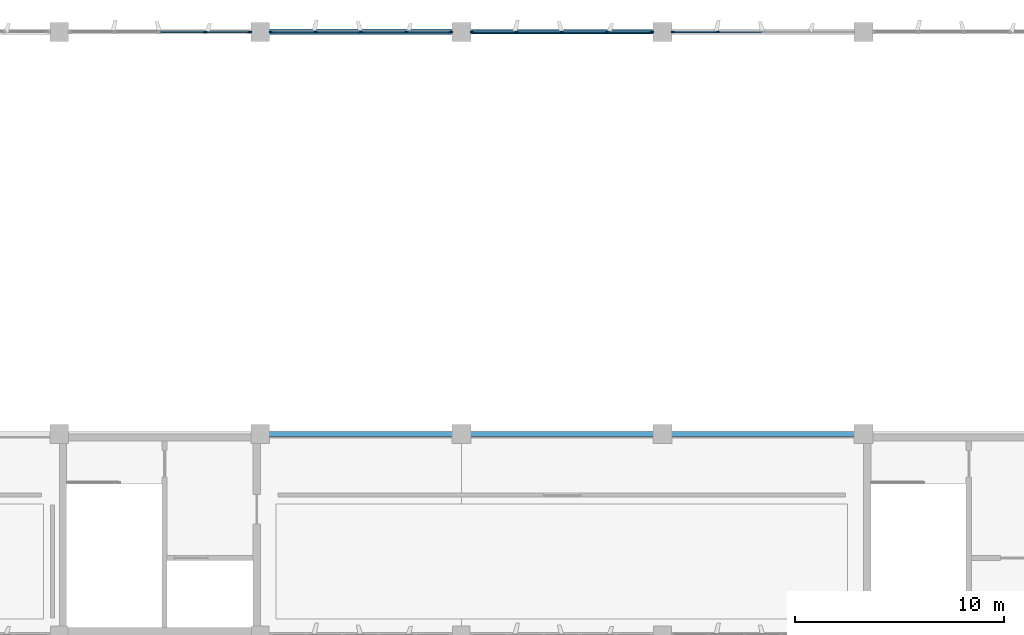
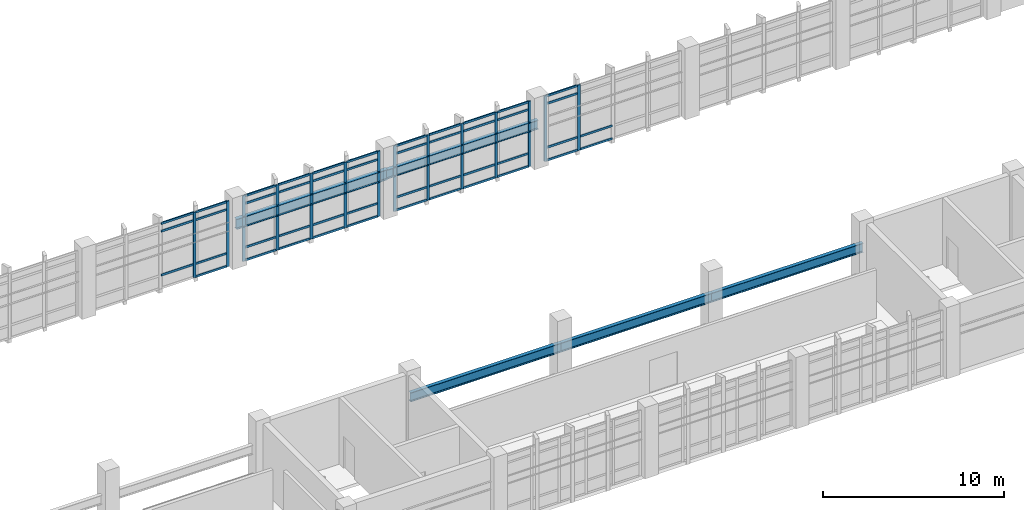
# One storey, part 31 of 86: 59 members, 5 beams, 4 elements without a shape of their own.
"""IFC4 building model written with IfcOpenShell, lengths in metres."""

import ifcopenshell
import ifcopenshell.guid

model = None  # the IFC model being written
_history = None  # IfcOwnerHistory: only IFC2X3 demands one
_inside = {}  # id of a spatial element -> (the spatial element, [elements in it])
_under = {}  # id of a project, library or spatial element -> (it, [spatial elements below it])
_declared = {}  # id of a project -> (the project, [libraries it declares])
_typed = {}  # id of a type object -> (the type object, [elements of that type])
_made_of = {}  # id of a material, layer set ... -> (it, [elements and type objects made of it])


def new_model(schema):
    """Start an empty IFC model of exactly this schema.

    Asked for "IFC4X3", IfcOpenShell would pick the latest addendum, in which some entities
    have other attributes; the version numbers below select the first issue.
    IFC2X3 requires an IfcOwnerHistory on every rooted entity: one is made here for all.
    """
    global model, _history
    if schema == "IFC4X3":
        model = ifcopenshell.file(schema_version=(4, 3, 0, 0))
    else:
        model = ifcopenshell.file(schema=schema)
    _inside.clear()
    _under.clear()
    _declared.clear()
    _typed.clear()
    _made_of.clear()
    _history = None
    if model.schema == "IFC2X3":
        org = make("IfcOrganization", Name="unknown")
        user = make(
            "IfcPersonAndOrganization",
            ThePerson=make("IfcPerson", FamilyName="unknown"),
            TheOrganization=org,
        )
        app = make(
            "IfcApplication",
            ApplicationDeveloper=org,
            Version="unknown",
            ApplicationFullName="unknown",
            ApplicationIdentifier="unknown",
        )
        _history = make(
            "IfcOwnerHistory",
            OwningUser=user,
            OwningApplication=app,
            ChangeAction="ADDED",
            CreationDate=0,
        )
    return model


def make(cls, **values):
    """One entity of the class cls with the attributes given. An attribute that is None is left unset."""
    return model.create_entity(
        cls, **{name: value for name, value in values.items() if value is not None}
    )


def rooted(cls, **values):
    """An entity with a GlobalId (a new one), such as an element, a storey or a relation."""
    return make(cls, GlobalId=ifcopenshell.guid.new(), OwnerHistory=_history, **values)


def si_unit(unit_type, name, prefix=None):
    """IfcSIUnit, for example si_unit("LENGTHUNIT", "METRE", prefix="MILLI")."""
    return make("IfcSIUnit", UnitType=unit_type, Prefix=prefix, Name=name)


def assignment(units):
    """IfcUnitAssignment: the units of a project."""
    return None if units is None else make("IfcUnitAssignment", Units=units)


def point(xyz):
    """IfcCartesianPoint."""
    return None if xyz is None else make("IfcCartesianPoint", Coordinates=xyz)


def direction(xyz):
    """IfcDirection."""
    return None if xyz is None else make("IfcDirection", DirectionRatios=xyz)


def frame(location, z_axis=None, x_axis=None):
    """IfcAxis2Placement3D, a coordinate frame: its origin and axes. An axis left out is left unset."""
    return make(
        "IfcAxis2Placement3D",
        Location=point(location),
        Axis=direction(z_axis),
        RefDirection=direction(x_axis),
    )


def frame_2d(location, x_axis=None):
    """IfcAxis2Placement2D, a coordinate frame in the plane: its origin and x axis."""
    return make(
        "IfcAxis2Placement2D", Location=point(location), RefDirection=direction(x_axis)
    )


def origin():
    """The frame at (0, 0, 0) with its axes left unset."""
    return frame((0.0, 0.0, 0.0))


def origin_2d():
    """The frame at (0, 0) in the plane with its x axis left unset."""
    return frame_2d((0.0, 0.0))


def place(relative_to, where):
    """IfcLocalPlacement: puts the frame where relative to a parent placement (None: the world)."""
    return make(
        "IfcLocalPlacement", PlacementRelTo=relative_to, RelativePlacement=where
    )


def context(
    kind, dimensions, precision=None, world=None, true_north=None, identifier=None
):
    """IfcGeometricRepresentationContext, for example the 3D "Model" context."""
    return make(
        "IfcGeometricRepresentationContext",
        ContextIdentifier=identifier,
        ContextType=kind,
        CoordinateSpaceDimension=dimensions,
        Precision=precision,
        WorldCoordinateSystem=world,
        TrueNorth=true_north,
    )


def subcontext(parent, identifier, kind, view, scale=None):
    """IfcGeometricRepresentationSubContext, for example "Body" below "Model"."""
    return make(
        "IfcGeometricRepresentationSubContext",
        ContextIdentifier=identifier,
        ContextType=kind,
        ParentContext=parent,
        TargetScale=scale,
        TargetView=view,
    )


def project(units=None, contexts=None):
    """IfcProject with its units and contexts."""
    return rooted(
        "IfcProject",
        Name="project",
        RepresentationContexts=contexts,
        UnitsInContext=assignment(units),
    )


def spatial(cls, under=None, at=None, **own):
    """A site, building, storey or space (cls), placed at a placement, below another one or the project."""
    s = rooted(cls, ObjectPlacement=at, **own)
    if under is not None:
        _under.setdefault(under.id(), (under, []))[1].append(s)
    return s


def profile(cls, at=None, kind="AREA", **sizes):
    """A parametric profile (cls). Its sizes go by their IFC names, for example OverallWidth=200.0."""
    return make(cls, ProfileType=kind, Position=at, **sizes)


def rectangle(**sizes):
    """IfcRectangleProfileDef."""
    return profile("IfcRectangleProfileDef", **sizes)


def i_section(**sizes):
    """IfcIShapeProfileDef."""
    return profile("IfcIShapeProfileDef", **sizes)


def extrude(swept, where, along, depth):
    """IfcExtrudedAreaSolid: the profile swept, set in the frame where, extruded along a direction by depth."""
    return make(
        "IfcExtrudedAreaSolid",
        SweptArea=swept,
        Position=where,
        ExtrudedDirection=direction(along),
        Depth=depth,
    )


def shape(context_of_items, identifier, shape_type, items):
    """IfcShapeRepresentation: the items that make up one representation, for example the "Body"."""
    return make(
        "IfcShapeRepresentation",
        ContextOfItems=context_of_items,
        RepresentationIdentifier=identifier,
        RepresentationType=shape_type,
        Items=items,
    )


def material(Name=None, Category=None):
    """IfcMaterial."""
    return make("IfcMaterial", Name=Name, Category=Category)


def layer(
    of_material, thickness, ventilated=None, Name=None, Category=None, Priority=None
):
    """IfcMaterialLayer: one layer of a wall or slab, of a material (None: an air gap)."""
    return make(
        "IfcMaterialLayer",
        Material=of_material,
        LayerThickness=thickness,
        IsVentilated=ventilated,
        Name=Name,
        Category=Category,
        Priority=Priority,
    )


def layer_set(layers, Name=None):
    """IfcMaterialLayerSet."""
    return make("IfcMaterialLayerSet", MaterialLayers=layers, LayerSetName=Name)


def material_profile(
    of_material, cross_section, Name=None, Category=None, Priority=None
):
    """IfcMaterialProfile: a cross section and its material."""
    return make(
        "IfcMaterialProfile",
        Name=Name,
        Material=of_material,
        Profile=cross_section,
        Priority=Priority,
        Category=Category,
    )


def profile_set(profiles, Name=None, composite=None):
    """IfcMaterialProfileSet."""
    return make(
        "IfcMaterialProfileSet",
        Name=Name,
        MaterialProfiles=profiles,
        CompositeProfile=composite,
    )


def made_of(thing, what):
    """Note that an element or type object is made of a material, layer set ...; save() writes the relation."""
    if what is not None:
        _made_of.setdefault(what.id(), (what, []))[1].append(thing)
    return thing


def type_object(cls, material=None, **own):
    """A type object (cls), such as IfcWallType, which elements share."""
    return made_of(rooted(cls, **own), material)


def element(
    cls,
    number,
    at=None,
    inside=None,
    cuts=None,
    type_object=None,
    material=None,
    context=None,
    identifier="Body",
    shape_type=None,
    held_by="IfcProductDefinitionShape",
    body=None,
    shapes=None,
    **own,
):
    """One element of the class cls, such as IfcWall. Its Tag is "e" and its number.

    at: its placement. inside: the storey or other place that contains it. cuts: it is an
    opening in that element (IfcRelVoidsElement). A single representation is given by context,
    identifier, shape_type and body (its items); several are given by shapes. held_by: the class
    of the entity that holds the representations. save() writes the other relations.
    """
    e = rooted(cls, Tag="e%d" % number, ObjectPlacement=at, **own)
    if body is not None:
        shapes = [shape(context, identifier, shape_type, body)]
    if shapes is not None:
        e.Representation = make(held_by, Representations=shapes)
    if inside is not None:
        _inside.setdefault(inside.id(), (inside, []))[1].append(e)
    if cuts is not None:
        rooted(
            "IfcRelVoidsElement", RelatingBuildingElement=cuts, RelatedOpeningElement=e
        )
    if type_object is not None:
        _typed.setdefault(type_object.id(), (type_object, []))[1].append(e)
    return made_of(e, material)


def aggregate(whole, parts):
    """IfcRelAggregates: a whole, such as a stair, and the parts it consists of."""
    return rooted("IfcRelAggregates", RelatingObject=whole, RelatedObjects=parts)


def save(model, path):
    """Write the relations noted so far, then the file.

    IfcRelAggregates (storeys below a building ...), IfcRelContainedInSpatialStructure (elements
    in a storey), IfcRelDefinesByType, IfcRelAssociatesMaterial and IfcRelDeclares: one each for
    every whole, place, type object, material and project.
    """
    for whole, parts in _under.values():
        aggregate(whole, parts)
    for where, things in _inside.values():
        rooted(
            "IfcRelContainedInSpatialStructure",
            RelatedElements=things,
            RelatingStructure=where,
        )
    for kind, things in _typed.values():
        rooted("IfcRelDefinesByType", RelatedObjects=things, RelatingType=kind)
    for what, things in _made_of.values():
        rooted("IfcRelAssociatesMaterial", RelatedObjects=things, RelatingMaterial=what)
    for by, libraries in _declared.values():
        rooted("IfcRelDeclares", RelatingContext=by, RelatedDefinitions=libraries)
    model.write(path)


model = new_model("IFC4")

# Units and contexts
model_context = context("Model", 3, precision=1e-05, world=origin(), true_north=direction((0.0, 1.0)))
body_context = subcontext(model_context, "Body", "Model", "MODEL_VIEW")
ifc_project = project(units=[si_unit("LENGTHUNIT", "METRE"), si_unit("AREAUNIT", "SQUARE_METRE"), si_unit("VOLUMEUNIT", "CUBIC_METRE"), si_unit("PLANEANGLEUNIT", "RADIAN"), si_unit("MASSUNIT", "GRAM", prefix="KILO")], contexts=[model_context])

# Site, building, storey
site_placement = place(None, origin())
site = spatial("IfcSite", under=ifc_project, at=site_placement, CompositionType="ELEMENT")
building_placement = place(site_placement, origin())
building = spatial("IfcBuilding", under=site, at=building_placement, Name="Kolvemor Railside Polytechnic", CompositionType="ELEMENT")
storey_placement = place(building_placement, frame((0.0, 0.0, 5.39990234375)))
storey = spatial("IfcBuildingStorey", under=building, at=storey_placement, Name="L01", CompositionType="ELEMENT", Elevation=5.39990234375)

# Beams
ifc_material_1 = material(Name="Steel S355", Category="steel")
ifc_material_profile_1 = material_profile(ifc_material_1, i_section(OverallWidth=0.256103515625, OverallDepth=0.693115234375, WebThickness=0.014404296875, FlangeThickness=0.023681640625, FilletRadius=0.01611328125, at=origin_2d()), Name="W690x170")
ifc_profile_set_1 = profile_set([ifc_material_profile_1], Name="Steel S355")
beam_type_1 = type_object("IfcBeamType", Name="BM-ST-CRANE0", PredefinedType="BEAM", material=ifc_profile_set_1)
beam_1_placement = place(storey_placement, frame((96.0, 120.0, 2.691650390625), z_axis=(1.0, 0.0, 0.0), x_axis=(0.0, 1.0, 0.0)))
element("IfcBeam", 1, at=beam_1_placement, inside=storey, type_object=beam_type_1, Name="Crane Runway Girder CRG-N09", PredefinedType="BEAM", context=body_context, shape_type="SweptSolid", body=[
    extrude(i_section(OverallWidth=0.256103515625, OverallDepth=0.693115234375, WebThickness=0.014404296875, FlangeThickness=0.023681640625, FilletRadius=0.01611328125, at=origin_2d()), origin(), (0.0, 0.0, 1.0), 9.60009765625),
])
ifc_material_2 = material(Name="Steel S355", Category="steel")
ifc_material_profile_2 = material_profile(ifc_material_2, i_section(OverallWidth=0.22998046875, OverallDepth=0.616943359375, WebThickness=0.01318359375, FlangeThickness=0.022216796875, FilletRadius=0.01611328125, at=origin_2d()), Name="W610x140")
ifc_profile_set_2 = profile_set([ifc_material_profile_2], Name="Steel S355")
beam_type_2 = type_object("IfcBeamType", Name="BM-ST-CRANE1", PredefinedType="BEAM", material=ifc_profile_set_2)
beam_2_placement = place(storey_placement, frame((96.0, 100.800048828125, 2.691650390625), z_axis=(1.0, 0.0, 0.0), x_axis=(0.0, 1.0, 0.0)))
element("IfcBeam", 2, at=beam_2_placement, inside=storey, type_object=beam_type_2, Name="Crane Runway Girder CRG-S09", PredefinedType="BEAM", context=body_context, shape_type="SweptSolid", body=[
    extrude(i_section(OverallWidth=0.22998046875, OverallDepth=0.616943359375, WebThickness=0.01318359375, FlangeThickness=0.022216796875, FilletRadius=0.01611328125, at=origin_2d()), origin(), (0.0, 0.0, 1.0), 9.60009765625),
])
for number, where, z_axis, x_axis, name in (
    (3, (105.60009765625, 100.800048828125, 2.691650390625), (1.0, 0.0, 0.0), (0.0, 1.0, 0.0), "Crane Runway Girder CRG-S10"),
    (4, (105.60009765625, 120.0, 2.691650390625), (1.0, 0.0, 0.0), (0.0, 1.0, 0.0), "Crane Runway Girder CRG-N10"),
):
    element("IfcBeam", number, at=place(storey_placement, frame(where, z_axis=z_axis, x_axis=x_axis)), inside=storey, type_object=beam_type_2, Name=name, PredefinedType="BEAM", context=body_context, shape_type="SweptSolid", body=[
        extrude(i_section(OverallWidth=0.22998046875, OverallDepth=0.616943359375, WebThickness=0.01318359375, FlangeThickness=0.022216796875, FilletRadius=0.01611328125, at=origin_2d()), origin(), (0.0, 0.0, 1.0), 9.599853515625),
    ])
beam_3_placement = place(storey_placement, frame((115.199951171875, 100.800048828125, 2.691650390625), z_axis=(1.0, 0.0, 0.0), x_axis=(0.0, 1.0, 0.0)))
element("IfcBeam", 5, at=beam_3_placement, inside=storey, type_object=beam_type_2, Name="Crane Runway Girder CRG-S11", PredefinedType="BEAM", context=body_context, shape_type="SweptSolid", body=[
    extrude(i_section(OverallWidth=0.22998046875, OverallDepth=0.616943359375, WebThickness=0.01318359375, FlangeThickness=0.022216796875, FilletRadius=0.01611328125, at=origin_2d()), origin(), (0.0, 0.0, 1.0), 9.60009765625),
])

# Curtain wall, members
ifc_material_3 = material(Name="Anodised marine aluminium and laminated low-E glass", Category="aluminium")
ifc_layer = layer(ifc_material_3, 0.179931640625, Name="CW-UNIT-WKS")
ifc_layer_set = layer_set([ifc_layer], Name="Anodised marine aluminium and laminated low-E glass")
curtain_wall_type = type_object("IfcCurtainWallType", Name="CW-UNIT-WKS", PredefinedType="USERDEFINED", material=ifc_layer_set)
curtain_wall_1_placement = place(storey_placement, origin())
curtain_wall_1 = element("IfcCurtainWall", 6, at=curtain_wall_1_placement, inside=storey, type_object=curtain_wall_type, Name="Curtain Wall L01-016", ObjectType="UNITISED CURTAIN WALL", PredefinedType="USERDEFINED")
ifc_material_4 = material(Name="Anodised marine aluminium 6063-T6", Category="aluminium")
ifc_material_profile_3 = material_profile(ifc_material_4, rectangle(XDim=0.074951171875, YDim=0.179931640625, at=origin_2d()), Name="CW-MUL-75x180")
ifc_profile_set_3 = profile_set([ifc_material_profile_3], Name="Anodised marine aluminium 6063-T6")
member_type_1 = type_object("IfcMemberType", Name="CWM-75x180", PredefinedType="MULLION", material=ifc_profile_set_3)
member_1_placement = place(storey_placement, frame((95.492431640625, 120.0, 0.0), z_axis=(0.0, 0.0, 1.0), x_axis=(0.0, -1.0, 0.0)))
member_1 = element("IfcMember", 7, at=member_1_placement, type_object=member_type_1, Name="CW-WKS mullion 1", PredefinedType="MULLION", context=body_context, shape_type="SweptSolid", body=[
    extrude(rectangle(XDim=0.074951171875, YDim=0.179931640625, at=origin_2d()), origin(), (0.0, 0.0, 1.0), 4.400146484375),
])
member_2_placement = place(storey_placement, frame((93.364990234375, 120.0, 0.0), z_axis=(0.0, 0.0, 1.0), x_axis=(0.0, -1.0, 0.0)))
member_2 = element("IfcMember", 8, at=member_2_placement, type_object=member_type_1, Name="CW-WKS mullion 2", PredefinedType="MULLION", context=body_context, shape_type="SweptSolid", body=[
    extrude(rectangle(XDim=0.074951171875, YDim=0.179931640625, at=origin_2d()), origin(), (0.0, 0.0, 1.0), 4.400146484375),
])

curtain_wall_2_placement = place(storey_placement, origin())
curtain_wall_2 = element("IfcCurtainWall", 9, at=curtain_wall_2_placement, inside=storey, type_object=curtain_wall_type, Name="Curtain Wall L01-017", ObjectType="UNITISED CURTAIN WALL", PredefinedType="USERDEFINED")
member_3_placement = place(storey_placement, frame((105.092529296875, 120.0, 0.0), z_axis=(0.0, 0.0, 1.0), x_axis=(0.0, -1.0, 0.0)))
member_3 = element("IfcMember", 10, at=member_3_placement, type_object=member_type_1, Name="CW-WKS mullion 1", PredefinedType="MULLION", context=body_context, shape_type="SweptSolid", body=[
    extrude(rectangle(XDim=0.074951171875, YDim=0.179931640625, at=origin_2d()), origin(), (0.0, 0.0, 1.0), 4.400146484375),
])
member_4_placement = place(storey_placement, frame((102.965087890625, 120.0, 0.0), z_axis=(0.0, 0.0, 1.0), x_axis=(0.0, -1.0, 0.0)))
member_4 = element("IfcMember", 11, at=member_4_placement, type_object=member_type_1, Name="CW-WKS mullion 2", PredefinedType="MULLION", context=body_context, shape_type="SweptSolid", body=[
    extrude(rectangle(XDim=0.074951171875, YDim=0.179931640625, at=origin_2d()), origin(), (0.0, 0.0, 1.0), 4.400146484375),
])
member_5_placement = place(storey_placement, frame((100.800048828125, 120.0, 0.0), z_axis=(0.0, 0.0, 1.0), x_axis=(0.0, -1.0, 0.0)))
member_5 = element("IfcMember", 12, at=member_5_placement, type_object=member_type_1, Name="CW-WKS mullion 3", PredefinedType="MULLION", context=body_context, shape_type="SweptSolid", body=[
    extrude(rectangle(XDim=0.074951171875, YDim=0.179931640625, at=origin_2d()), origin(), (0.0, 0.0, 1.0), 4.400146484375),
])
member_6_placement = place(storey_placement, frame((98.635009765625, 120.0, 0.0), z_axis=(0.0, 0.0, 1.0), x_axis=(0.0, -1.0, 0.0)))
member_6 = element("IfcMember", 13, at=member_6_placement, type_object=member_type_1, Name="CW-WKS mullion 4", PredefinedType="MULLION", context=body_context, shape_type="SweptSolid", body=[
    extrude(rectangle(XDim=0.074951171875, YDim=0.179931640625, at=origin_2d()), origin(), (0.0, 0.0, 1.0), 4.400146484375),
])
member_7_placement = place(storey_placement, frame((96.507568359375, 120.0, 0.0), z_axis=(0.0, 0.0, 1.0), x_axis=(0.0, -1.0, 0.0)))
member_7 = element("IfcMember", 14, at=member_7_placement, type_object=member_type_1, Name="CW-WKS mullion 5", PredefinedType="MULLION", context=body_context, shape_type="SweptSolid", body=[
    extrude(rectangle(XDim=0.074951171875, YDim=0.179931640625, at=origin_2d()), origin(), (0.0, 0.0, 1.0), 4.400146484375),
])

curtain_wall_3_placement = place(storey_placement, origin())
curtain_wall_3 = element("IfcCurtainWall", 15, at=curtain_wall_3_placement, inside=storey, type_object=curtain_wall_type, Name="Curtain Wall L01-020", ObjectType="UNITISED CURTAIN WALL", PredefinedType="USERDEFINED")
member_8_placement = place(storey_placement, frame((114.6923828125, 120.0, 0.0), z_axis=(0.0, 0.0, 1.0), x_axis=(0.0, -1.0, 0.0)))
member_8 = element("IfcMember", 16, at=member_8_placement, type_object=member_type_1, Name="CW-WKS mullion 1", PredefinedType="MULLION", context=body_context, shape_type="SweptSolid", body=[
    extrude(rectangle(XDim=0.074951171875, YDim=0.179931640625, at=origin_2d()), origin(), (0.0, 0.0, 1.0), 4.400146484375),
])
member_9_placement = place(storey_placement, frame((112.56494140625, 120.0, 0.0), z_axis=(0.0, 0.0, 1.0), x_axis=(0.0, -1.0, 0.0)))
member_9 = element("IfcMember", 17, at=member_9_placement, type_object=member_type_1, Name="CW-WKS mullion 2", PredefinedType="MULLION", context=body_context, shape_type="SweptSolid", body=[
    extrude(rectangle(XDim=0.074951171875, YDim=0.179931640625, at=origin_2d()), origin(), (0.0, 0.0, 1.0), 4.400146484375),
])
member_10_placement = place(storey_placement, frame((110.39990234375, 120.0, 0.0), z_axis=(0.0, 0.0, 1.0), x_axis=(0.0, -1.0, 0.0)))
member_10 = element("IfcMember", 18, at=member_10_placement, type_object=member_type_1, Name="CW-WKS mullion 3", PredefinedType="MULLION", context=body_context, shape_type="SweptSolid", body=[
    extrude(rectangle(XDim=0.074951171875, YDim=0.179931640625, at=origin_2d()), origin(), (0.0, 0.0, 1.0), 4.400146484375),
])
member_11_placement = place(storey_placement, frame((108.235107421875, 120.0, 0.0), z_axis=(0.0, 0.0, 1.0), x_axis=(0.0, -1.0, 0.0)))
member_11 = element("IfcMember", 19, at=member_11_placement, type_object=member_type_1, Name="CW-WKS mullion 4", PredefinedType="MULLION", context=body_context, shape_type="SweptSolid", body=[
    extrude(rectangle(XDim=0.074951171875, YDim=0.179931640625, at=origin_2d()), origin(), (0.0, 0.0, 1.0), 4.400146484375),
])
member_12_placement = place(storey_placement, frame((106.107421875, 120.0, 0.0), z_axis=(0.0, 0.0, 1.0), x_axis=(0.0, -1.0, 0.0)))
member_12 = element("IfcMember", 20, at=member_12_placement, type_object=member_type_1, Name="CW-WKS mullion 5", PredefinedType="MULLION", context=body_context, shape_type="SweptSolid", body=[
    extrude(rectangle(XDim=0.074951171875, YDim=0.179931640625, at=origin_2d()), origin(), (0.0, 0.0, 1.0), 4.400146484375),
])

curtain_wall_4_placement = place(storey_placement, origin())
curtain_wall_4 = element("IfcCurtainWall", 21, at=curtain_wall_4_placement, inside=storey, type_object=curtain_wall_type, Name="Curtain Wall L01-023", ObjectType="UNITISED CURTAIN WALL", PredefinedType="USERDEFINED")
member_13_placement = place(storey_placement, frame((117.8349609375, 120.0, 0.0), z_axis=(0.0, 0.0, 1.0), x_axis=(0.0, -1.0, 0.0)))
member_13 = element("IfcMember", 22, at=member_13_placement, type_object=member_type_1, Name="CW-WKS mullion 4", PredefinedType="MULLION", context=body_context, shape_type="SweptSolid", body=[
    extrude(rectangle(XDim=0.074951171875, YDim=0.179931640625, at=origin_2d()), origin(), (0.0, 0.0, 1.0), 4.400146484375),
])
member_14_placement = place(storey_placement, frame((115.70751953125, 120.0, 0.0), z_axis=(0.0, 0.0, 1.0), x_axis=(0.0, -1.0, 0.0)))
member_14 = element("IfcMember", 23, at=member_14_placement, type_object=member_type_1, Name="CW-WKS mullion 5", PredefinedType="MULLION", context=body_context, shape_type="SweptSolid", body=[
    extrude(rectangle(XDim=0.074951171875, YDim=0.179931640625, at=origin_2d()), origin(), (0.0, 0.0, 1.0), 4.400146484375),
])

# Member
ifc_material_5 = material(Name="Anodised marine aluminium 6063-T6", Category="aluminium")
ifc_material_profile_4 = material_profile(ifc_material_5, rectangle(XDim=0.074951171875, YDim=0.139892578125, at=origin_2d()), Name="CW-TRN-75x140")
ifc_profile_set_4 = profile_set([ifc_material_profile_4], Name="Anodised marine aluminium 6063-T6")
member_type_2 = type_object("IfcMemberType", Name="CWT-75x140", PredefinedType="USERDEFINED", material=ifc_profile_set_4)
member_15_placement = place(storey_placement, frame((95.455078125, 120.0, 0.03759765625), z_axis=(-1.0, 0.0, 0.0), x_axis=(0.0, -1.0, 0.0)))
member_15 = element("IfcMember", 24, at=member_15_placement, type_object=member_type_2, Name="CW-WKS transom 1.1", ObjectType="TRANSOM", PredefinedType="USERDEFINED", context=body_context, shape_type="SweptSolid", body=[
    extrude(rectangle(XDim=0.074951171875, YDim=0.139892578125, at=origin_2d()), origin(), (0.0, 0.0, 1.0), 2.052490234375),
])

member_16_placement = place(storey_placement, frame((95.455078125, 120.0, 0.900146484375), z_axis=(-1.0, 0.0, 0.0), x_axis=(0.0, -1.0, 0.0)))
member_16 = element("IfcMember", 25, at=member_16_placement, type_object=member_type_2, Name="CW-WKS transom 1.2", ObjectType="TRANSOM", PredefinedType="USERDEFINED", context=body_context, shape_type="SweptSolid", body=[
    extrude(rectangle(XDim=0.074951171875, YDim=0.139892578125, at=origin_2d()), origin(), (0.0, 0.0, 1.0), 2.052490234375),
])

member_17_placement = place(storey_placement, frame((95.455078125, 120.0, 3.85009765625), z_axis=(-1.0, 0.0, 0.0), x_axis=(0.0, -1.0, 0.0)))
member_17 = element("IfcMember", 26, at=member_17_placement, type_object=member_type_2, Name="CW-WKS transom 1.3", ObjectType="TRANSOM", PredefinedType="USERDEFINED", context=body_context, shape_type="SweptSolid", body=[
    extrude(rectangle(XDim=0.074951171875, YDim=0.139892578125, at=origin_2d()), origin(), (0.0, 0.0, 1.0), 2.052490234375),
])

member_18_placement = place(storey_placement, frame((95.455078125, 120.0, 4.362548828125), z_axis=(-1.0, 0.0, 0.0), x_axis=(0.0, -1.0, 0.0)))
member_18 = element("IfcMember", 27, at=member_18_placement, type_object=member_type_2, Name="CW-WKS transom 1.4", ObjectType="TRANSOM", PredefinedType="USERDEFINED", context=body_context, shape_type="SweptSolid", body=[
    extrude(rectangle(XDim=0.074951171875, YDim=0.139892578125, at=origin_2d()), origin(), (0.0, 0.0, 1.0), 2.052490234375),
])

member_19_placement = place(storey_placement, frame((93.327392578125, 120.0, 0.900146484375), z_axis=(-1.0, 0.0, 0.0), x_axis=(0.0, -1.0, 0.0)))
member_19 = element("IfcMember", 28, at=member_19_placement, type_object=member_type_2, Name="CW-WKS transom 2.2", ObjectType="TRANSOM", PredefinedType="USERDEFINED", context=body_context, shape_type="SweptSolid", body=[
    extrude(rectangle(XDim=0.074951171875, YDim=0.139892578125, at=origin_2d()), origin(), (0.0, 0.0, 1.0), 2.08984375),
])

member_20_placement = place(storey_placement, frame((93.327392578125, 120.0, 3.85009765625), z_axis=(-1.0, 0.0, 0.0), x_axis=(0.0, -1.0, 0.0)))
member_20 = element("IfcMember", 29, at=member_20_placement, type_object=member_type_2, Name="CW-WKS transom 2.3", ObjectType="TRANSOM", PredefinedType="USERDEFINED", context=body_context, shape_type="SweptSolid", body=[
    extrude(rectangle(XDim=0.074951171875, YDim=0.139892578125, at=origin_2d()), origin(), (0.0, 0.0, 1.0), 2.08984375),
])

member_21_placement = place(storey_placement, frame((93.327392578125, 120.0, 4.362548828125), z_axis=(-1.0, 0.0, 0.0), x_axis=(0.0, -1.0, 0.0)))
member_21 = element("IfcMember", 30, at=member_21_placement, type_object=member_type_2, Name="CW-WKS transom 2.4", ObjectType="TRANSOM", PredefinedType="USERDEFINED", context=body_context, shape_type="SweptSolid", body=[
    extrude(rectangle(XDim=0.074951171875, YDim=0.139892578125, at=origin_2d()), origin(), (0.0, 0.0, 1.0), 2.08984375),
])

aggregate(curtain_wall_1, [member_1, member_2, member_15, member_16, member_17, member_18, member_19, member_20, member_21])

member_22_placement = place(storey_placement, frame((105.054931640625, 120.0, 0.03759765625), z_axis=(-1.0, 0.0, 0.0), x_axis=(0.0, -1.0, 0.0)))
member_22 = element("IfcMember", 31, at=member_22_placement, type_object=member_type_2, Name="CW-WKS transom 1.1", ObjectType="TRANSOM", PredefinedType="USERDEFINED", context=body_context, shape_type="SweptSolid", body=[
    extrude(rectangle(XDim=0.074951171875, YDim=0.139892578125, at=origin_2d()), origin(), (0.0, 0.0, 1.0), 2.052490234375),
])

member_23_placement = place(storey_placement, frame((105.054931640625, 120.0, 0.900146484375), z_axis=(-1.0, 0.0, 0.0), x_axis=(0.0, -1.0, 0.0)))
member_23 = element("IfcMember", 32, at=member_23_placement, type_object=member_type_2, Name="CW-WKS transom 1.2", ObjectType="TRANSOM", PredefinedType="USERDEFINED", context=body_context, shape_type="SweptSolid", body=[
    extrude(rectangle(XDim=0.074951171875, YDim=0.139892578125, at=origin_2d()), origin(), (0.0, 0.0, 1.0), 2.052490234375),
])

member_24_placement = place(storey_placement, frame((105.054931640625, 120.0, 3.85009765625), z_axis=(-1.0, 0.0, 0.0), x_axis=(0.0, -1.0, 0.0)))
member_24 = element("IfcMember", 33, at=member_24_placement, type_object=member_type_2, Name="CW-WKS transom 1.3", ObjectType="TRANSOM", PredefinedType="USERDEFINED", context=body_context, shape_type="SweptSolid", body=[
    extrude(rectangle(XDim=0.074951171875, YDim=0.139892578125, at=origin_2d()), origin(), (0.0, 0.0, 1.0), 2.052490234375),
])

member_25_placement = place(storey_placement, frame((105.054931640625, 120.0, 4.362548828125), z_axis=(-1.0, 0.0, 0.0), x_axis=(0.0, -1.0, 0.0)))
member_25 = element("IfcMember", 34, at=member_25_placement, type_object=member_type_2, Name="CW-WKS transom 1.4", ObjectType="TRANSOM", PredefinedType="USERDEFINED", context=body_context, shape_type="SweptSolid", body=[
    extrude(rectangle(XDim=0.074951171875, YDim=0.139892578125, at=origin_2d()), origin(), (0.0, 0.0, 1.0), 2.052490234375),
])

member_26_placement = place(storey_placement, frame((102.927490234375, 120.0, 0.03759765625), z_axis=(-1.0, 0.0, 0.0), x_axis=(0.0, -1.0, 0.0)))
member_26 = element("IfcMember", 35, at=member_26_placement, type_object=member_type_2, Name="CW-WKS transom 2.1", ObjectType="TRANSOM", PredefinedType="USERDEFINED", context=body_context, shape_type="SweptSolid", body=[
    extrude(rectangle(XDim=0.074951171875, YDim=0.139892578125, at=origin_2d()), origin(), (0.0, 0.0, 1.0), 2.090087890625),
])

member_27_placement = place(storey_placement, frame((102.927490234375, 120.0, 0.900146484375), z_axis=(-1.0, 0.0, 0.0), x_axis=(0.0, -1.0, 0.0)))
member_27 = element("IfcMember", 36, at=member_27_placement, type_object=member_type_2, Name="CW-WKS transom 2.2", ObjectType="TRANSOM", PredefinedType="USERDEFINED", context=body_context, shape_type="SweptSolid", body=[
    extrude(rectangle(XDim=0.074951171875, YDim=0.139892578125, at=origin_2d()), origin(), (0.0, 0.0, 1.0), 2.090087890625),
])

member_28_placement = place(storey_placement, frame((102.927490234375, 120.0, 3.85009765625), z_axis=(-1.0, 0.0, 0.0), x_axis=(0.0, -1.0, 0.0)))
member_28 = element("IfcMember", 37, at=member_28_placement, type_object=member_type_2, Name="CW-WKS transom 2.3", ObjectType="TRANSOM", PredefinedType="USERDEFINED", context=body_context, shape_type="SweptSolid", body=[
    extrude(rectangle(XDim=0.074951171875, YDim=0.139892578125, at=origin_2d()), origin(), (0.0, 0.0, 1.0), 2.090087890625),
])

member_29_placement = place(storey_placement, frame((102.927490234375, 120.0, 4.362548828125), z_axis=(-1.0, 0.0, 0.0), x_axis=(0.0, -1.0, 0.0)))
member_29 = element("IfcMember", 38, at=member_29_placement, type_object=member_type_2, Name="CW-WKS transom 2.4", ObjectType="TRANSOM", PredefinedType="USERDEFINED", context=body_context, shape_type="SweptSolid", body=[
    extrude(rectangle(XDim=0.074951171875, YDim=0.139892578125, at=origin_2d()), origin(), (0.0, 0.0, 1.0), 2.090087890625),
])

member_30_placement = place(storey_placement, frame((100.762451171875, 120.0, 0.03759765625), z_axis=(-1.0, 0.0, 0.0), x_axis=(0.0, -1.0, 0.0)))
member_30 = element("IfcMember", 39, at=member_30_placement, type_object=member_type_2, Name="CW-WKS transom 3.1", ObjectType="TRANSOM", PredefinedType="USERDEFINED", context=body_context, shape_type="SweptSolid", body=[
    extrude(rectangle(XDim=0.074951171875, YDim=0.139892578125, at=origin_2d()), origin(), (0.0, 0.0, 1.0), 2.08984375),
])

member_31_placement = place(storey_placement, frame((100.762451171875, 120.0, 0.900146484375), z_axis=(-1.0, 0.0, 0.0), x_axis=(0.0, -1.0, 0.0)))
member_31 = element("IfcMember", 40, at=member_31_placement, type_object=member_type_2, Name="CW-WKS transom 3.2", ObjectType="TRANSOM", PredefinedType="USERDEFINED", context=body_context, shape_type="SweptSolid", body=[
    extrude(rectangle(XDim=0.074951171875, YDim=0.139892578125, at=origin_2d()), origin(), (0.0, 0.0, 1.0), 2.08984375),
])

member_32_placement = place(storey_placement, frame((100.762451171875, 120.0, 3.85009765625), z_axis=(-1.0, 0.0, 0.0), x_axis=(0.0, -1.0, 0.0)))
member_32 = element("IfcMember", 41, at=member_32_placement, type_object=member_type_2, Name="CW-WKS transom 3.3", ObjectType="TRANSOM", PredefinedType="USERDEFINED", context=body_context, shape_type="SweptSolid", body=[
    extrude(rectangle(XDim=0.074951171875, YDim=0.139892578125, at=origin_2d()), origin(), (0.0, 0.0, 1.0), 2.08984375),
])

member_33_placement = place(storey_placement, frame((100.762451171875, 120.0, 4.362548828125), z_axis=(-1.0, 0.0, 0.0), x_axis=(0.0, -1.0, 0.0)))
member_33 = element("IfcMember", 42, at=member_33_placement, type_object=member_type_2, Name="CW-WKS transom 3.4", ObjectType="TRANSOM", PredefinedType="USERDEFINED", context=body_context, shape_type="SweptSolid", body=[
    extrude(rectangle(XDim=0.074951171875, YDim=0.139892578125, at=origin_2d()), origin(), (0.0, 0.0, 1.0), 2.08984375),
])

member_34_placement = place(storey_placement, frame((98.597412109375, 120.0, 0.03759765625), z_axis=(-1.0, 0.0, 0.0), x_axis=(0.0, -1.0, 0.0)))
member_34 = element("IfcMember", 43, at=member_34_placement, type_object=member_type_2, Name="CW-WKS transom 4.1", ObjectType="TRANSOM", PredefinedType="USERDEFINED", context=body_context, shape_type="SweptSolid", body=[
    extrude(rectangle(XDim=0.074951171875, YDim=0.139892578125, at=origin_2d()), origin(), (0.0, 0.0, 1.0), 2.052490234375),
])

member_35_placement = place(storey_placement, frame((98.597412109375, 120.0, 0.900146484375), z_axis=(-1.0, 0.0, 0.0), x_axis=(0.0, -1.0, 0.0)))
member_35 = element("IfcMember", 44, at=member_35_placement, type_object=member_type_2, Name="CW-WKS transom 4.2", ObjectType="TRANSOM", PredefinedType="USERDEFINED", context=body_context, shape_type="SweptSolid", body=[
    extrude(rectangle(XDim=0.074951171875, YDim=0.139892578125, at=origin_2d()), origin(), (0.0, 0.0, 1.0), 2.052490234375),
])

member_36_placement = place(storey_placement, frame((98.597412109375, 120.0, 3.85009765625), z_axis=(-1.0, 0.0, 0.0), x_axis=(0.0, -1.0, 0.0)))
member_36 = element("IfcMember", 45, at=member_36_placement, type_object=member_type_2, Name="CW-WKS transom 4.3", ObjectType="TRANSOM", PredefinedType="USERDEFINED", context=body_context, shape_type="SweptSolid", body=[
    extrude(rectangle(XDim=0.074951171875, YDim=0.139892578125, at=origin_2d()), origin(), (0.0, 0.0, 1.0), 2.052490234375),
])

member_37_placement = place(storey_placement, frame((98.597412109375, 120.0, 4.362548828125), z_axis=(-1.0, 0.0, 0.0), x_axis=(0.0, -1.0, 0.0)))
member_37 = element("IfcMember", 46, at=member_37_placement, type_object=member_type_2, Name="CW-WKS transom 4.4", ObjectType="TRANSOM", PredefinedType="USERDEFINED", context=body_context, shape_type="SweptSolid", body=[
    extrude(rectangle(XDim=0.074951171875, YDim=0.139892578125, at=origin_2d()), origin(), (0.0, 0.0, 1.0), 2.052490234375),
])

aggregate(curtain_wall_2, [member_3, member_4, member_5, member_6, member_7, member_22, member_23, member_24, member_25, member_26, member_27, member_28, member_29, member_30, member_31, member_32, member_33, member_34, member_35, member_36, member_37])

member_38_placement = place(storey_placement, frame((114.655029296875, 120.0, 0.03759765625), z_axis=(-1.0, 0.0, 0.0), x_axis=(0.0, -1.0, 0.0)))
member_38 = element("IfcMember", 47, at=member_38_placement, type_object=member_type_2, Name="CW-WKS transom 1.1", ObjectType="TRANSOM", PredefinedType="USERDEFINED", context=body_context, shape_type="SweptSolid", body=[
    extrude(rectangle(XDim=0.074951171875, YDim=0.139892578125, at=origin_2d()), origin(), (0.0, 0.0, 1.0), 2.052490234375),
])

member_39_placement = place(storey_placement, frame((114.655029296875, 120.0, 0.900146484375), z_axis=(-1.0, 0.0, 0.0), x_axis=(0.0, -1.0, 0.0)))
member_39 = element("IfcMember", 48, at=member_39_placement, type_object=member_type_2, Name="CW-WKS transom 1.2", ObjectType="TRANSOM", PredefinedType="USERDEFINED", context=body_context, shape_type="SweptSolid", body=[
    extrude(rectangle(XDim=0.074951171875, YDim=0.139892578125, at=origin_2d()), origin(), (0.0, 0.0, 1.0), 2.052490234375),
])

member_40_placement = place(storey_placement, frame((114.655029296875, 120.0, 3.85009765625), z_axis=(-1.0, 0.0, 0.0), x_axis=(0.0, -1.0, 0.0)))
member_40 = element("IfcMember", 49, at=member_40_placement, type_object=member_type_2, Name="CW-WKS transom 1.3", ObjectType="TRANSOM", PredefinedType="USERDEFINED", context=body_context, shape_type="SweptSolid", body=[
    extrude(rectangle(XDim=0.074951171875, YDim=0.139892578125, at=origin_2d()), origin(), (0.0, 0.0, 1.0), 2.052490234375),
])

member_41_placement = place(storey_placement, frame((114.655029296875, 120.0, 4.362548828125), z_axis=(-1.0, 0.0, 0.0), x_axis=(0.0, -1.0, 0.0)))
member_41 = element("IfcMember", 50, at=member_41_placement, type_object=member_type_2, Name="CW-WKS transom 1.4", ObjectType="TRANSOM", PredefinedType="USERDEFINED", context=body_context, shape_type="SweptSolid", body=[
    extrude(rectangle(XDim=0.074951171875, YDim=0.139892578125, at=origin_2d()), origin(), (0.0, 0.0, 1.0), 2.052490234375),
])

member_42_placement = place(storey_placement, frame((112.527587890625, 120.0, 0.03759765625), z_axis=(-1.0, 0.0, 0.0), x_axis=(0.0, -1.0, 0.0)))
member_42 = element("IfcMember", 51, at=member_42_placement, type_object=member_type_2, Name="CW-WKS transom 2.1", ObjectType="TRANSOM", PredefinedType="USERDEFINED", context=body_context, shape_type="SweptSolid", body=[
    extrude(rectangle(XDim=0.074951171875, YDim=0.139892578125, at=origin_2d()), origin(), (0.0, 0.0, 1.0), 2.090087890625),
])

member_43_placement = place(storey_placement, frame((112.527587890625, 120.0, 0.900146484375), z_axis=(-1.0, 0.0, 0.0), x_axis=(0.0, -1.0, 0.0)))
member_43 = element("IfcMember", 52, at=member_43_placement, type_object=member_type_2, Name="CW-WKS transom 2.2", ObjectType="TRANSOM", PredefinedType="USERDEFINED", context=body_context, shape_type="SweptSolid", body=[
    extrude(rectangle(XDim=0.074951171875, YDim=0.139892578125, at=origin_2d()), origin(), (0.0, 0.0, 1.0), 2.090087890625),
])

member_44_placement = place(storey_placement, frame((112.527587890625, 120.0, 3.85009765625), z_axis=(-1.0, 0.0, 0.0), x_axis=(0.0, -1.0, 0.0)))
member_44 = element("IfcMember", 53, at=member_44_placement, type_object=member_type_2, Name="CW-WKS transom 2.3", ObjectType="TRANSOM", PredefinedType="USERDEFINED", context=body_context, shape_type="SweptSolid", body=[
    extrude(rectangle(XDim=0.074951171875, YDim=0.139892578125, at=origin_2d()), origin(), (0.0, 0.0, 1.0), 2.090087890625),
])

member_45_placement = place(storey_placement, frame((112.527587890625, 120.0, 4.362548828125), z_axis=(-1.0, 0.0, 0.0), x_axis=(0.0, -1.0, 0.0)))
member_45 = element("IfcMember", 54, at=member_45_placement, type_object=member_type_2, Name="CW-WKS transom 2.4", ObjectType="TRANSOM", PredefinedType="USERDEFINED", context=body_context, shape_type="SweptSolid", body=[
    extrude(rectangle(XDim=0.074951171875, YDim=0.139892578125, at=origin_2d()), origin(), (0.0, 0.0, 1.0), 2.090087890625),
])

member_46_placement = place(storey_placement, frame((110.362548828125, 120.0, 0.03759765625), z_axis=(-1.0, 0.0, 0.0), x_axis=(0.0, -1.0, 0.0)))
member_46 = element("IfcMember", 55, at=member_46_placement, type_object=member_type_2, Name="CW-WKS transom 3.1", ObjectType="TRANSOM", PredefinedType="USERDEFINED", context=body_context, shape_type="SweptSolid", body=[
    extrude(rectangle(XDim=0.074951171875, YDim=0.139892578125, at=origin_2d()), origin(), (0.0, 0.0, 1.0), 2.090087890625),
])

member_47_placement = place(storey_placement, frame((110.362548828125, 120.0, 0.900146484375), z_axis=(-1.0, 0.0, 0.0), x_axis=(0.0, -1.0, 0.0)))
member_47 = element("IfcMember", 56, at=member_47_placement, type_object=member_type_2, Name="CW-WKS transom 3.2", ObjectType="TRANSOM", PredefinedType="USERDEFINED", context=body_context, shape_type="SweptSolid", body=[
    extrude(rectangle(XDim=0.074951171875, YDim=0.139892578125, at=origin_2d()), origin(), (0.0, 0.0, 1.0), 2.090087890625),
])

member_48_placement = place(storey_placement, frame((110.362548828125, 120.0, 3.85009765625), z_axis=(-1.0, 0.0, 0.0), x_axis=(0.0, -1.0, 0.0)))
member_48 = element("IfcMember", 57, at=member_48_placement, type_object=member_type_2, Name="CW-WKS transom 3.3", ObjectType="TRANSOM", PredefinedType="USERDEFINED", context=body_context, shape_type="SweptSolid", body=[
    extrude(rectangle(XDim=0.074951171875, YDim=0.139892578125, at=origin_2d()), origin(), (0.0, 0.0, 1.0), 2.090087890625),
])

member_49_placement = place(storey_placement, frame((110.362548828125, 120.0, 4.362548828125), z_axis=(-1.0, 0.0, 0.0), x_axis=(0.0, -1.0, 0.0)))
member_49 = element("IfcMember", 58, at=member_49_placement, type_object=member_type_2, Name="CW-WKS transom 3.4", ObjectType="TRANSOM", PredefinedType="USERDEFINED", context=body_context, shape_type="SweptSolid", body=[
    extrude(rectangle(XDim=0.074951171875, YDim=0.139892578125, at=origin_2d()), origin(), (0.0, 0.0, 1.0), 2.090087890625),
])

member_50_placement = place(storey_placement, frame((108.197509765625, 120.0, 0.03759765625), z_axis=(-1.0, 0.0, 0.0), x_axis=(0.0, -1.0, 0.0)))
member_50 = element("IfcMember", 59, at=member_50_placement, type_object=member_type_2, Name="CW-WKS transom 4.1", ObjectType="TRANSOM", PredefinedType="USERDEFINED", context=body_context, shape_type="SweptSolid", body=[
    extrude(rectangle(XDim=0.074951171875, YDim=0.139892578125, at=origin_2d()), origin(), (0.0, 0.0, 1.0), 2.052490234375),
])

member_51_placement = place(storey_placement, frame((108.197509765625, 120.0, 0.900146484375), z_axis=(-1.0, 0.0, 0.0), x_axis=(0.0, -1.0, 0.0)))
member_51 = element("IfcMember", 60, at=member_51_placement, type_object=member_type_2, Name="CW-WKS transom 4.2", ObjectType="TRANSOM", PredefinedType="USERDEFINED", context=body_context, shape_type="SweptSolid", body=[
    extrude(rectangle(XDim=0.074951171875, YDim=0.139892578125, at=origin_2d()), origin(), (0.0, 0.0, 1.0), 2.052490234375),
])

member_52_placement = place(storey_placement, frame((108.197509765625, 120.0, 3.85009765625), z_axis=(-1.0, 0.0, 0.0), x_axis=(0.0, -1.0, 0.0)))
member_52 = element("IfcMember", 61, at=member_52_placement, type_object=member_type_2, Name="CW-WKS transom 4.3", ObjectType="TRANSOM", PredefinedType="USERDEFINED", context=body_context, shape_type="SweptSolid", body=[
    extrude(rectangle(XDim=0.074951171875, YDim=0.139892578125, at=origin_2d()), origin(), (0.0, 0.0, 1.0), 2.052490234375),
])

member_53_placement = place(storey_placement, frame((108.197509765625, 120.0, 4.362548828125), z_axis=(-1.0, 0.0, 0.0), x_axis=(0.0, -1.0, 0.0)))
member_53 = element("IfcMember", 62, at=member_53_placement, type_object=member_type_2, Name="CW-WKS transom 4.4", ObjectType="TRANSOM", PredefinedType="USERDEFINED", context=body_context, shape_type="SweptSolid", body=[
    extrude(rectangle(XDim=0.074951171875, YDim=0.139892578125, at=origin_2d()), origin(), (0.0, 0.0, 1.0), 2.052490234375),
])

aggregate(curtain_wall_3, [member_8, member_9, member_10, member_11, member_12, member_38, member_39, member_40, member_41, member_42, member_43, member_44, member_45, member_46, member_47, member_48, member_49, member_50, member_51, member_52, member_53])

member_54_placement = place(storey_placement, frame((119.96240234375, 120.0, 0.03759765625), z_axis=(-1.0, 0.0, 0.0), x_axis=(0.0, -1.0, 0.0)))
member_54 = element("IfcMember", 63, at=member_54_placement, type_object=member_type_2, Name="CW-WKS transom 3.1", ObjectType="TRANSOM", PredefinedType="USERDEFINED", context=body_context, shape_type="SweptSolid", body=[
    extrude(rectangle(XDim=0.074951171875, YDim=0.139892578125, at=origin_2d()), origin(), (0.0, 0.0, 1.0), 2.08984375),
])

member_55_placement = place(storey_placement, frame((119.96240234375, 120.0, 0.900146484375), z_axis=(-1.0, 0.0, 0.0), x_axis=(0.0, -1.0, 0.0)))
member_55 = element("IfcMember", 64, at=member_55_placement, type_object=member_type_2, Name="CW-WKS transom 3.2", ObjectType="TRANSOM", PredefinedType="USERDEFINED", context=body_context, shape_type="SweptSolid", body=[
    extrude(rectangle(XDim=0.074951171875, YDim=0.139892578125, at=origin_2d()), origin(), (0.0, 0.0, 1.0), 2.08984375),
])

member_56_placement = place(storey_placement, frame((117.797607421875, 120.0, 0.03759765625), z_axis=(-1.0, 0.0, 0.0), x_axis=(0.0, -1.0, 0.0)))
member_56 = element("IfcMember", 65, at=member_56_placement, type_object=member_type_2, Name="CW-WKS transom 4.1", ObjectType="TRANSOM", PredefinedType="USERDEFINED", context=body_context, shape_type="SweptSolid", body=[
    extrude(rectangle(XDim=0.074951171875, YDim=0.139892578125, at=origin_2d()), origin(), (0.0, 0.0, 1.0), 2.052490234375),
])

member_57_placement = place(storey_placement, frame((117.797607421875, 120.0, 0.900146484375), z_axis=(-1.0, 0.0, 0.0), x_axis=(0.0, -1.0, 0.0)))
member_57 = element("IfcMember", 66, at=member_57_placement, type_object=member_type_2, Name="CW-WKS transom 4.2", ObjectType="TRANSOM", PredefinedType="USERDEFINED", context=body_context, shape_type="SweptSolid", body=[
    extrude(rectangle(XDim=0.074951171875, YDim=0.139892578125, at=origin_2d()), origin(), (0.0, 0.0, 1.0), 2.052490234375),
])

member_58_placement = place(storey_placement, frame((117.797607421875, 120.0, 3.85009765625), z_axis=(-1.0, 0.0, 0.0), x_axis=(0.0, -1.0, 0.0)))
member_58 = element("IfcMember", 67, at=member_58_placement, type_object=member_type_2, Name="CW-WKS transom 4.3", ObjectType="TRANSOM", PredefinedType="USERDEFINED", context=body_context, shape_type="SweptSolid", body=[
    extrude(rectangle(XDim=0.074951171875, YDim=0.139892578125, at=origin_2d()), origin(), (0.0, 0.0, 1.0), 2.052490234375),
])

member_59_placement = place(storey_placement, frame((117.797607421875, 120.0, 4.362548828125), z_axis=(-1.0, 0.0, 0.0), x_axis=(0.0, -1.0, 0.0)))
member_59 = element("IfcMember", 68, at=member_59_placement, type_object=member_type_2, Name="CW-WKS transom 4.4", ObjectType="TRANSOM", PredefinedType="USERDEFINED", context=body_context, shape_type="SweptSolid", body=[
    extrude(rectangle(XDim=0.074951171875, YDim=0.139892578125, at=origin_2d()), origin(), (0.0, 0.0, 1.0), 2.052490234375),
])

aggregate(curtain_wall_4, [member_13, member_14, member_54, member_55, member_56, member_57, member_58, member_59])

save(model, "model.ifc")
